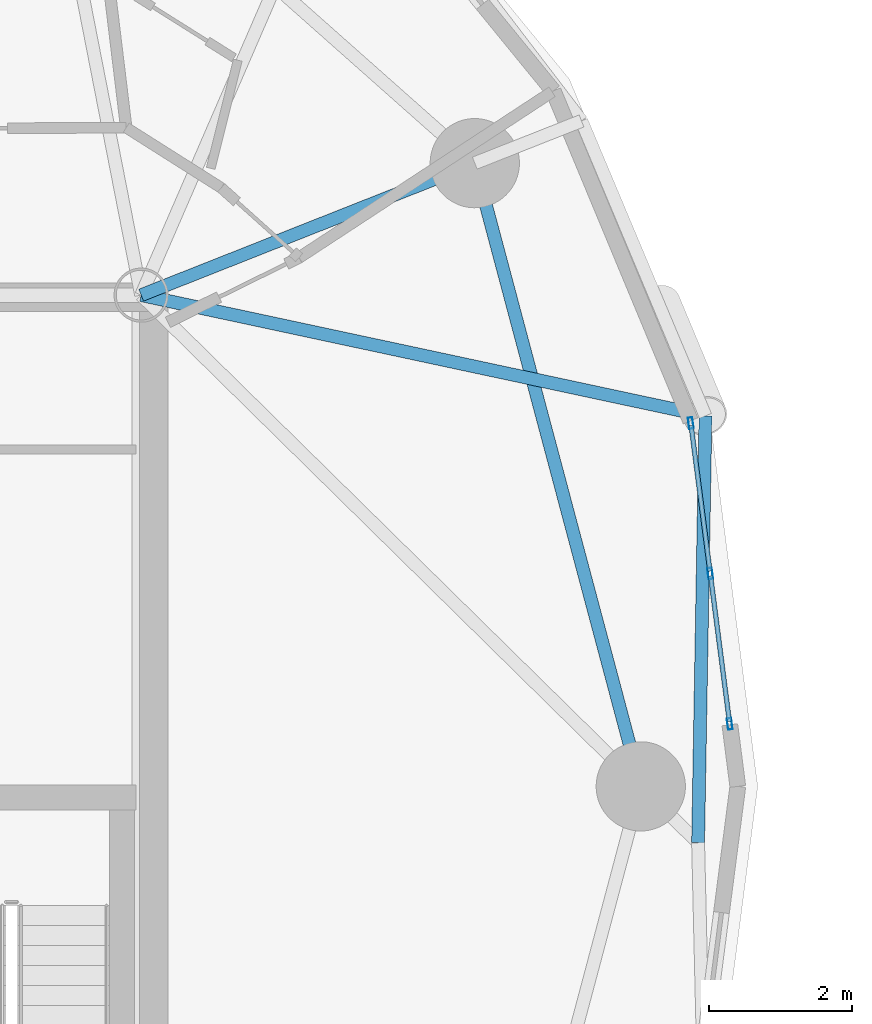
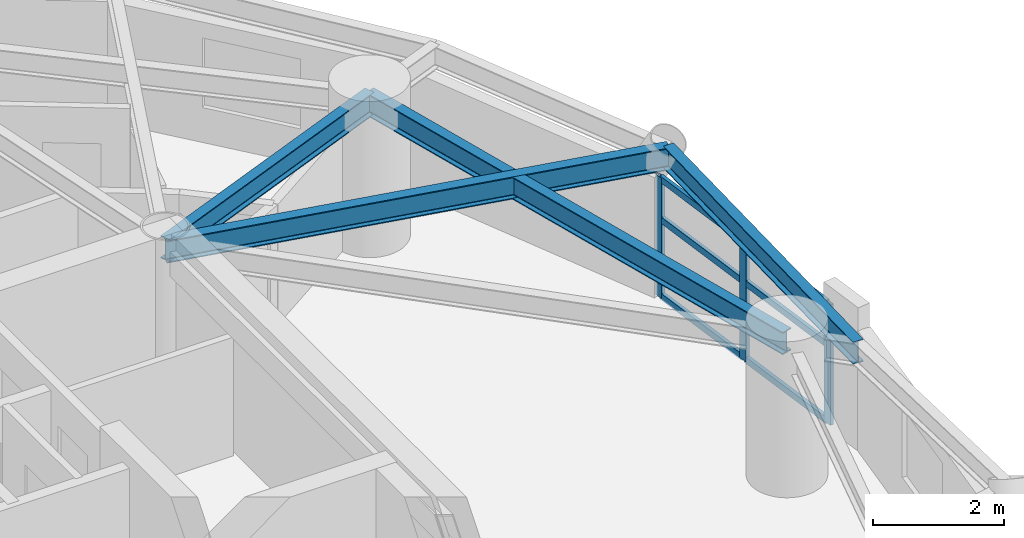
# One storey, part 3 of 17: 9 members, 4 beams, 1 element without a shape of its own.
"""IFC4 building model written with IfcOpenShell, lengths in metres."""

from ifc_helpers import new_model, si_unit, direction, frame, origin, origin_2d, place, context, subcontext, project, spatial, hollow_rectangle, i_section, extrude, material, layer, layer_set, material_profile, profile_set, type_object, element, aggregate, save


model = new_model("IFC4")

# Units and contexts
model_context = context("Model", 3, precision=1e-05, world=origin(), true_north=direction((0.0, 1.0)))
body_context = subcontext(model_context, "Body", "Model", "MODEL_VIEW")
ifc_project = project(units=[si_unit("LENGTHUNIT", "METRE"), si_unit("AREAUNIT", "SQUARE_METRE"), si_unit("VOLUMEUNIT", "CUBIC_METRE"), si_unit("PLANEANGLEUNIT", "RADIAN"), si_unit("MASSUNIT", "GRAM", prefix="KILO")], contexts=[model_context])

# Site, building, storey
site_placement = place(None, origin())
site = spatial("IfcSite", under=ifc_project, at=site_placement, CompositionType="ELEMENT")
building_placement = place(site_placement, origin())
building = spatial("IfcBuilding", under=site, at=building_placement, Name="Cununo Teusaquillo Station Towers", CompositionType="ELEMENT")
storey_placement = place(building_placement, frame((0.0, 0.0, 183.610107421875)))
storey = spatial("IfcBuildingStorey", under=building, at=storey_placement, Name="L58", CompositionType="ELEMENT", Elevation=183.610107421875)

# Beams
ifc_material_1 = material(Name="Steel ASTM A572 Grade 50", Category="steel")
ifc_material_profile_1 = material_profile(ifc_material_1, i_section(OverallWidth=0.180908203125, OverallDepth=0.4169921875, WebThickness=0.010986328125, FlangeThickness=0.018310546875, FilletRadius=0.012939453125, at=origin_2d()), Name="W16X57")
ifc_profile_set_1 = profile_set([ifc_material_profile_1], Name="Steel ASTM A572 Grade 50")
beam_type_1 = type_object("IfcBeamType", Name="BM-JOIST-1", PredefinedType="JOIST", material=ifc_profile_set_1)
beam_1_placement = place(storey_placement, frame((21.675048828125, 31.3798828125, 2.4814453125), z_axis=(0.977854548984, -0.209285644589, 0.0), x_axis=(0.209285644589, 0.977854548984, 0.0)))
element("IfcBeam", 1, at=beam_1_placement, inside=storey, type_object=beam_type_1, Name="L58 Tower A Radial Spandrel Joist V01", PredefinedType="JOIST", context=body_context, shape_type="SweptSolid", body=[
    extrude(i_section(OverallWidth=0.180908203125, OverallDepth=0.4169921875, WebThickness=0.010986328125, FlangeThickness=0.018310546875, FilletRadius=0.012939453125, at=origin_2d()), origin(), (0.0, 0.0, 1.0), 8.081787109375),
])
ifc_material_2 = material(Name="Steel ASTM A572 Grade 50", Category="steel")
ifc_material_profile_2 = material_profile(ifc_material_2, i_section(OverallWidth=0.180908203125, OverallDepth=0.4169921875, WebThickness=0.010986328125, FlangeThickness=0.018310546875, FilletRadius=0.012939453125, at=origin_2d()), Name="W16X57")
ifc_profile_set_2 = profile_set([ifc_material_profile_2], Name="Steel ASTM A572 Grade 50")
beam_type_2 = type_object("IfcBeamType", Name="BM-RAD-G2", PredefinedType="BEAM", material=ifc_profile_set_2)
beam_2_placement = place(storey_placement, frame((21.675048828125, 31.3798828125, 2.4814453125), z_axis=(0.929864104313, 0.367903176814, 0.0), x_axis=(-0.367903176814, 0.929864104313, 0.0)))
element("IfcBeam", 2, at=beam_2_placement, inside=storey, type_object=beam_type_2, Name="L58 Tower A Radial Girder 02A", PredefinedType="BEAM", context=body_context, shape_type="SweptSolid", body=[
    extrude(i_section(OverallWidth=0.180908203125, OverallDepth=0.4169921875, WebThickness=0.010986328125, FlangeThickness=0.018310546875, FilletRadius=0.012939453125, at=origin_2d()), origin(), (0.0, 0.0, 1.0), 5.02490234375),
])
ifc_material_3 = material(Name="Steel ASTM A572 Grade 50", Category="steel")
ifc_material_profile_3 = material_profile(ifc_material_3, i_section(OverallWidth=0.180908203125, OverallDepth=0.4169921875, WebThickness=0.010986328125, FlangeThickness=0.018310546875, FilletRadius=0.012939453125, at=origin_2d()), Name="W16X57")
ifc_profile_set_3 = profile_set([ifc_material_profile_3], Name="Steel ASTM A572 Grade 50")
beam_type_3 = type_object("IfcBeamType", Name="BM-RING-Z3", PredefinedType="SPANDREL", material=ifc_profile_set_3)
beam_3_placement = place(storey_placement, frame((28.672119140625, 24.5, 2.4814453125), z_axis=(-0.257363196347, 0.966314744359, 0.0), x_axis=(-0.966314744359, -0.257363196347, 0.0)))
element("IfcBeam", 3, at=beam_3_placement, inside=storey, type_object=beam_type_3, Name="L58 Tower A Structural Column Ring Girder 01", PredefinedType="SPANDREL", context=body_context, shape_type="SweptSolid", body=[
    extrude(i_section(OverallWidth=0.180908203125, OverallDepth=0.4169921875, WebThickness=0.010986328125, FlangeThickness=0.018310546875, FilletRadius=0.012939453125, at=origin_2d()), origin(), (0.0, 0.0, 1.0), 9.03271484375),
])
beam_4_placement = place(storey_placement, frame((29.474853515625, 23.710693359375, 2.4814453125), z_axis=(0.017232482627, 0.999851509747, 0.0), x_axis=(-0.999851509747, 0.017232482627, 0.0)))
element("IfcBeam", 4, at=beam_4_placement, inside=storey, type_object=beam_type_3, Name="L58 Tower A Spandrel Ring Beam 01", PredefinedType="SPANDREL", context=body_context, shape_type="SweptSolid", body=[
    extrude(i_section(OverallWidth=0.180908203125, OverallDepth=0.4169921875, WebThickness=0.010986328125, FlangeThickness=0.018310546875, FilletRadius=0.012939453125, at=origin_2d()), origin(), (0.0, 0.0, 1.0), 5.978759765625),
])

# Curtain wall, members
ifc_material_4 = material(Name="Operable acoustic tinted low-E double glazing", Category="glass")
ifc_layer = layer(ifc_material_4, 0.179931640625)
ifc_layer_set = layer_set([ifc_layer], Name="Operable acoustic tinted low-E double glazing")
curtain_wall_type = type_object("IfcCurtainWallType", Name="CW-SYS-06", PredefinedType="USERDEFINED", material=ifc_layer_set)
curtain_wall_placement = place(storey_placement, origin())
curtain_wall = element("IfcCurtainWall", 5, at=curtain_wall_placement, inside=storey, type_object=curtain_wall_type, Name="L58 Tower A Facade Curtain Wall C00", ObjectType="OPERABLE GLAZING", PredefinedType="USERDEFINED")
ifc_material_5 = material(Name="Anodised dark bronze aluminium EN AW-6063-T6", Category="aluminium")
ifc_material_profile_4 = material_profile(ifc_material_5, hollow_rectangle(XDim=0.06494140625, YDim=0.159912109375, WallThickness=0.00390625, at=origin_2d()), Name="CW-MULL-65x160")
ifc_profile_set_4 = profile_set([ifc_material_profile_4], Name="Anodised dark bronze aluminium EN AW-6063-T6")
member_type_1 = type_object("IfcMemberType", Name="CWM-160", PredefinedType="MULLION", material=ifc_profile_set_4)
member_1_placement = place(storey_placement, frame((29.372802734375, 29.588134765625, 0.0), z_axis=(0.0, 0.0, 1.0), x_axis=(0.991737283761, 0.128285462927, 0.0)))
member_1 = element("IfcMember", 6, at=member_1_placement, type_object=member_type_1, Name="CW-06 mullion 1", PredefinedType="MULLION", context=body_context, shape_type="SweptSolid", body=[
    extrude(hollow_rectangle(XDim=0.06494140625, YDim=0.159912109375, WallThickness=0.00390625, at=origin_2d()), origin(), (0.0, 0.0, 1.0), 2.244873046875),
])
member_2_placement = place(storey_placement, frame((29.645263671875, 27.481689453125, 0.0), z_axis=(0.0, 0.0, 1.0), x_axis=(0.991737283761, 0.128285462927, 0.0)))
member_2 = element("IfcMember", 7, at=member_2_placement, type_object=member_type_1, Name="CW-06 mullion 2", PredefinedType="MULLION", context=body_context, shape_type="SweptSolid", body=[
    extrude(hollow_rectangle(XDim=0.06494140625, YDim=0.159912109375, WallThickness=0.00390625, at=origin_2d()), origin(), (0.0, 0.0, 1.0), 2.244873046875),
])
member_3_placement = place(storey_placement, frame((29.917724609375, 25.375244140625, 0.0), z_axis=(0.0, 0.0, 1.0), x_axis=(0.991737283761, 0.128285462927, 0.0)))
member_3 = element("IfcMember", 8, at=member_3_placement, type_object=member_type_1, Name="CW-06 mullion 3", PredefinedType="MULLION", context=body_context, shape_type="SweptSolid", body=[
    extrude(hollow_rectangle(XDim=0.06494140625, YDim=0.159912109375, WallThickness=0.00390625, at=origin_2d()), origin(), (0.0, 0.0, 1.0), 2.244873046875),
])
ifc_material_6 = material(Name="Anodised dark bronze aluminium EN AW-6063-T6", Category="aluminium")
ifc_material_profile_5 = material_profile(ifc_material_6, hollow_rectangle(XDim=0.06494140625, YDim=0.1201171875, WallThickness=0.00390625, at=origin_2d()), Name="CW-TRAN-65x120")
ifc_profile_set_5 = profile_set([ifc_material_profile_5], Name="Anodised dark bronze aluminium EN AW-6063-T6")
member_type_2 = type_object("IfcMemberType", Name="CWT-120", PredefinedType="USERDEFINED", material=ifc_profile_set_5)
member_4_placement = place(storey_placement, frame((29.376953125, 29.555908203125, 0.032470703125), z_axis=(0.128294885484, -0.991736064867, 0.0), x_axis=(0.991736064867, 0.128294885484, 0.0)))
member_4 = element("IfcMember", 9, at=member_4_placement, type_object=member_type_2, Name="CW-06 transom 1.1", ObjectType="TRANSOM", PredefinedType="USERDEFINED", context=body_context, shape_type="SweptSolid", body=[
    extrude(hollow_rectangle(XDim=0.06494140625, YDim=0.1201171875, WallThickness=0.00390625, at=origin_2d()), origin(), (0.0, 0.0, 1.0), 2.05908203125),
])
member_5_placement = place(storey_placement, frame((29.376953125, 29.555908203125, 1.458984375), z_axis=(0.128294885484, -0.991736064867, 0.0), x_axis=(0.991736064867, 0.128294885484, 0.0)))
member_5 = element("IfcMember", 10, at=member_5_placement, type_object=member_type_2, Name="CW-06 transom 1.2", ObjectType="TRANSOM", PredefinedType="USERDEFINED", context=body_context, shape_type="SweptSolid", body=[
    extrude(hollow_rectangle(XDim=0.06494140625, YDim=0.1201171875, WallThickness=0.00390625, at=origin_2d()), origin(), (0.0, 0.0, 1.0), 2.05908203125),
])
member_6_placement = place(storey_placement, frame((29.376953125, 29.555908203125, 2.21240234375), z_axis=(0.128294885484, -0.991736064867, 0.0), x_axis=(0.991736064867, 0.128294885484, 0.0)))
member_6 = element("IfcMember", 11, at=member_6_placement, type_object=member_type_2, Name="CW-06 transom 1.3", ObjectType="TRANSOM", PredefinedType="USERDEFINED", context=body_context, shape_type="SweptSolid", body=[
    extrude(hollow_rectangle(XDim=0.06494140625, YDim=0.1201171875, WallThickness=0.00390625, at=origin_2d()), origin(), (0.0, 0.0, 1.0), 2.05908203125),
])
member_7_placement = place(storey_placement, frame((29.6494140625, 27.449462890625, 0.032470703125), z_axis=(0.128294885484, -0.991736064867, 0.0), x_axis=(0.991736064867, 0.128294885484, 0.0)))
member_7 = element("IfcMember", 12, at=member_7_placement, type_object=member_type_2, Name="CW-06 transom 2.1", ObjectType="TRANSOM", PredefinedType="USERDEFINED", context=body_context, shape_type="SweptSolid", body=[
    extrude(hollow_rectangle(XDim=0.06494140625, YDim=0.1201171875, WallThickness=0.00390625, at=origin_2d()), origin(), (0.0, 0.0, 1.0), 2.05908203125),
])
member_8_placement = place(storey_placement, frame((29.6494140625, 27.449462890625, 1.458984375), z_axis=(0.128294885484, -0.991736064867, 0.0), x_axis=(0.991736064867, 0.128294885484, 0.0)))
member_8 = element("IfcMember", 13, at=member_8_placement, type_object=member_type_2, Name="CW-06 transom 2.2", ObjectType="TRANSOM", PredefinedType="USERDEFINED", context=body_context, shape_type="SweptSolid", body=[
    extrude(hollow_rectangle(XDim=0.06494140625, YDim=0.1201171875, WallThickness=0.00390625, at=origin_2d()), origin(), (0.0, 0.0, 1.0), 2.05908203125),
])
member_9_placement = place(storey_placement, frame((29.6494140625, 27.449462890625, 2.21240234375), z_axis=(0.128294885484, -0.991736064867, 0.0), x_axis=(0.991736064867, 0.128294885484, 0.0)))
member_9 = element("IfcMember", 14, at=member_9_placement, type_object=member_type_2, Name="CW-06 transom 2.3", ObjectType="TRANSOM", PredefinedType="USERDEFINED", context=body_context, shape_type="SweptSolid", body=[
    extrude(hollow_rectangle(XDim=0.06494140625, YDim=0.1201171875, WallThickness=0.00390625, at=origin_2d()), origin(), (0.0, 0.0, 1.0), 2.05908203125),
])
aggregate(curtain_wall, [member_1, member_2, member_3, member_4, member_5, member_6, member_7, member_8, member_9])

save(model, "model.ifc")
